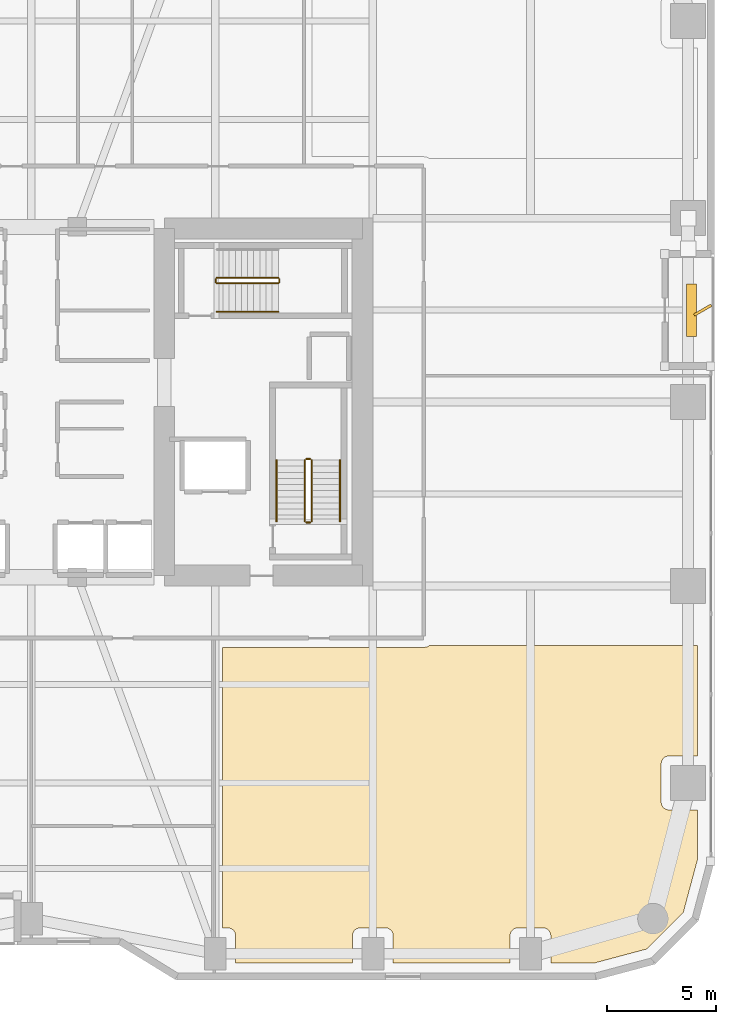
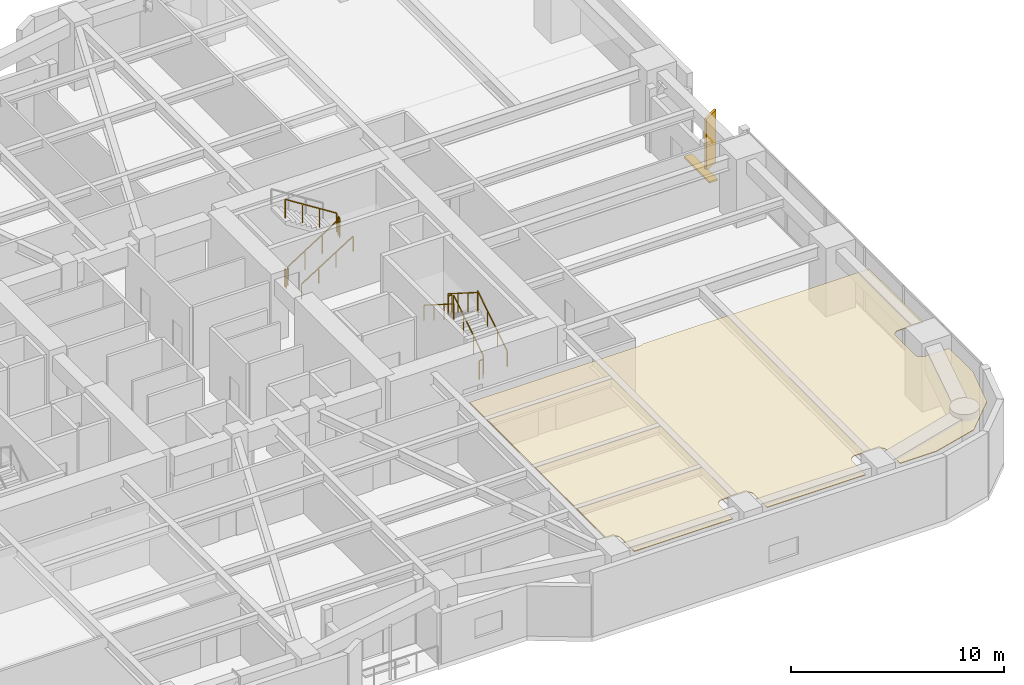
# One storey, part 27 of 28: 11 railings, 2 shading devices, 1 covering.
"""IFC4 building model written with IfcOpenShell, lengths in metres."""

from ifc_helpers import new_model, si_unit, direction, frame, origin, origin_2d, place, context, subcontext, project, spatial, polyline, rectangle, outline, extrude, material, layer, layer_set, type_object, element, save


model = new_model("IFC4")

# Units and contexts
model_context = context("Model", 3, precision=1e-05, world=origin(), true_north=direction((0.0, 1.0)))
body_context = subcontext(model_context, "Body", "Model", "MODEL_VIEW")
ifc_project = project(units=[si_unit("LENGTHUNIT", "METRE"), si_unit("AREAUNIT", "SQUARE_METRE"), si_unit("VOLUMEUNIT", "CUBIC_METRE"), si_unit("PLANEANGLEUNIT", "RADIAN"), si_unit("MASSUNIT", "GRAM", prefix="KILO")], contexts=[model_context])

# Site, building, storey
site_placement = place(None, origin())
site = spatial("IfcSite", under=ifc_project, at=site_placement, CompositionType="ELEMENT")
building_placement = place(site_placement, origin())
building = spatial("IfcBuilding", under=site, at=building_placement, Name="Kiyonajd Concourse Tower", CompositionType="ELEMENT")
storey_placement = place(building_placement, frame((0.0, 0.0, 33.300048828125)))
storey = spatial("IfcBuildingStorey", under=building, at=storey_placement, Name="L09", CompositionType="ELEMENT", Elevation=33.300048828125)

# Covering
ifc_material_1 = material(Name="Natural Oak Acoustic Timber Veneer", Category="wood")
ifc_layer = layer(ifc_material_1, 0.0400390625)
ifc_layer_set = layer_set([ifc_layer], Name="Natural Oak Acoustic Timber Veneer")
covering_type = type_object("IfcCoveringType", Name="CV-CLG-ACST", PredefinedType="CEILING", material=ifc_layer_set)
covering_placement = place(storey_placement, frame((0.0, 0.0, 3.4599609375)))
element("IfcCovering", 1, at=covering_placement, inside=storey, type_object=covering_type, Name="L09-46 Room Acoustic Ceiling", PredefinedType="CEILING", context=body_context, shape_type="SweptSolid", body=[
    extrude(outline(polyline([(56.72998046875, 11.97998046875), (56.72998046875, 24.7900390625), (65.925048828125, 24.7900390625), (66.054931640625, 24.81005859375), (66.117919921875, 24.8359375), (66.173095703125, 24.8701171875), (78.429931640625, 24.8701171875), (78.429931640625, 19.830078125), (77.1201171875, 19.830078125), (77.052001953125, 19.822998046875), (76.986083984375, 19.802978515625), (76.926025390625, 19.77099609375), (76.84912109375, 19.701904296875), (76.81103515625, 19.64501953125), (76.784912109375, 19.58203125), (76.77001953125, 19.47998046875), (76.77001953125, 17.719970703125), (76.784912109375, 17.617919921875), (76.81103515625, 17.554931640625), (76.84912109375, 17.498046875), (76.89794921875, 17.448974609375), (76.955078125, 17.410888671875), (77.01806640625, 17.385009765625), (77.0859375, 17.3720703125), (78.429931640625, 17.3701171875), (78.429931640625, 15.10107421875), (77.785888671875, 12.697998046875), (76.10205078125, 11.013916015625), (73.698974609375, 10.3701171875), (71.72998046875, 10.3701171875), (71.72802734375, 11.6640625), (71.715087890625, 11.73193359375), (71.68896484375, 11.794921875), (71.626953125, 11.876953125), (71.544921875, 11.93896484375), (71.48193359375, 11.965087890625), (71.4140625, 11.97802734375), (70.18603515625, 11.97802734375), (70.117919921875, 11.965087890625), (70.054931640625, 11.93896484375), (69.972900390625, 11.876953125), (69.910888671875, 11.794921875), (69.876953125, 11.697998046875), (69.8701171875, 11.6298828125), (69.8701171875, 10.3701171875), (64.530029296875, 10.3701171875), (64.528076171875, 11.6640625), (64.514892578125, 11.73193359375), (64.489013671875, 11.794921875), (64.427001953125, 11.876953125), (64.344970703125, 11.93896484375), (64.281982421875, 11.965087890625), (64.214111328125, 11.97802734375), (63.02001953125, 11.97998046875), (62.91796875, 11.965087890625), (62.85498046875, 11.93896484375), (62.798095703125, 11.90087890625), (62.7490234375, 11.85205078125), (62.7109375, 11.794921875), (62.677001953125, 11.697998046875), (62.669921875, 11.6298828125), (62.669921875, 10.3701171875), (57.330078125, 10.3701171875), (57.330078125, 11.6298828125), (57.322998046875, 11.697998046875), (57.302978515625, 11.763916015625), (57.27099609375, 11.823974609375), (57.22705078125, 11.876953125), (57.174072265625, 11.9208984375), (57.114013671875, 11.952880859375), (57.013916015625, 11.97802734375), (56.72998046875, 11.97998046875)])), origin(), (0.0, 0.0, 1.0), 0.0400390625),
])

# Railings
ifc_material_2 = material(Name="Steel ASTM A500 Grade C", Category="steel")
railing_type_1 = type_object("IfcRailingType", Name="RL-GRD-STR", PredefinedType="GUARDRAIL", material=ifc_material_2)
railing_1_placement = place(storey_placement, frame((60.800048828125, 30.550048828125, 0.17724609375)))
element("IfcRailing", 2, at=railing_1_placement, inside=storey, type_object=railing_type_1, Name="L09 ST2 stair guard 1", PredefinedType="GUARDRAIL", context=body_context, shape_type="SweptSolid", body=[
    extrude(rectangle(XDim=0.048095703125, YDim=0.048095703125, at=origin_2d()), frame((0.0, 0.0, 1.076171875), z_axis=(0.0, 0.844908973607, 0.534910110503), x_axis=(-1.0, 0.0, 0.0)), (0.0, 0.0, 1.0), 3.31396484375),
    extrude(rectangle(XDim=0.0419921875, YDim=0.0419921875, at=origin_2d()), origin(), (0.0, 0.0, 1.0), 1.052001953125),
    extrude(rectangle(XDim=0.0419921875, YDim=0.0419921875, at=origin_2d()), frame((0.0, 0.933349609375, 0.5908203125)), (0.0, 0.0, 1.0), 1.052001953125),
    extrude(rectangle(XDim=0.0419921875, YDim=0.0419921875, at=origin_2d()), frame((0.0, 1.86669921875, 1.181884765625)), (0.0, 0.0, 1.0), 1.052001953125),
    extrude(rectangle(XDim=0.0419921875, YDim=0.0419921875, at=origin_2d()), frame((0.0, 2.800048828125, 1.772705078125)), (0.0, 0.0, 1.0), 1.052001953125),
])
railing_2_placement = place(storey_placement, frame((60.75, 33.39990234375, 1.949951171875)))
element("IfcRailing", 3, at=railing_2_placement, inside=storey, type_object=railing_type_1, Name="L09 ST2 stair guard 2", PredefinedType="GUARDRAIL", context=body_context, shape_type="SweptSolid", body=[
    extrude(rectangle(XDim=0.048095703125, YDim=0.048095703125, at=origin_2d()), frame((0.0, 0.0, 1.076171875), z_axis=(-1.0, 0.0, 0.0), x_axis=(0.0, -1.0, 0.0)), (0.0, 0.0, 1.0), 0.199951171875),
    extrude(rectangle(XDim=0.0419921875, YDim=0.0419921875, at=origin_2d()), origin(), (0.0, 0.0, 1.0), 1.052001953125),
    extrude(rectangle(XDim=0.0419921875, YDim=0.0419921875, at=origin_2d()), frame((-0.199951171875, 0.0, 0.0)), (0.0, 0.0, 1.0), 1.052001953125),
])
railing_3_placement = place(storey_placement, frame((60.5, 33.35009765625, 2.127197265625)))
element("IfcRailing", 4, at=railing_3_placement, inside=storey, type_object=railing_type_1, Name="L09 ST2 stair guard 3", PredefinedType="GUARDRAIL", context=body_context, shape_type="SweptSolid", body=[
    extrude(rectangle(XDim=0.048095703125, YDim=0.048095703125, at=origin_2d()), frame((0.0, 0.0, 1.076171875), z_axis=(0.0, -0.844908973607, 0.534910110503), x_axis=(1.0, 0.0, 0.0)), (0.0, 0.0, 1.0), 3.31396484375),
    extrude(rectangle(XDim=0.0419921875, YDim=0.0419921875, at=origin_2d()), origin(), (0.0, 0.0, 1.0), 1.052001953125),
    extrude(rectangle(XDim=0.0419921875, YDim=0.0419921875, at=origin_2d()), frame((0.0, -0.933349609375, 0.5908203125)), (0.0, 0.0, 1.0), 1.052001953125),
    extrude(rectangle(XDim=0.0419921875, YDim=0.0419921875, at=origin_2d()), frame((0.0, -1.86669921875, 1.181884765625)), (0.0, 0.0, 1.0), 1.052001953125),
    extrude(rectangle(XDim=0.0419921875, YDim=0.0419921875, at=origin_2d()), frame((0.0, -2.800048828125, 1.772705078125)), (0.0, 0.0, 1.0), 1.052001953125),
])
railing_4_placement = place(storey_placement, frame((60.75, 30.5, 0.0)))
element("IfcRailing", 5, at=railing_4_placement, inside=storey, type_object=railing_type_1, Name="L09 ST2 stair guard 4", PredefinedType="GUARDRAIL", context=body_context, shape_type="SweptSolid", body=[
    extrude(rectangle(XDim=0.048095703125, YDim=0.048095703125, at=origin_2d()), frame((0.0, 0.0, 1.076171875), z_axis=(-1.0, 0.0, 0.0), x_axis=(0.0, -1.0, 0.0)), (0.0, 0.0, 1.0), 0.199951171875),
    extrude(rectangle(XDim=0.0419921875, YDim=0.0419921875, at=origin_2d()), origin(), (0.0, 0.0, 1.0), 1.052001953125),
    extrude(rectangle(XDim=0.0419921875, YDim=0.0419921875, at=origin_2d()), frame((-0.199951171875, 0.0, 0.0)), (0.0, 0.0, 1.0), 1.052001953125),
])
railing_5_placement = place(storey_placement, frame((56.47998046875, 41.429931640625, 0.17724609375)))
element("IfcRailing", 6, at=railing_5_placement, inside=storey, type_object=railing_type_1, Name="L09 ST3 stair guard 1", PredefinedType="GUARDRAIL", context=body_context, shape_type="SweptSolid", body=[
    extrude(rectangle(XDim=0.048095703125, YDim=0.048095703125, at=origin_2d()), frame((0.0, 0.0, 1.076171875), z_axis=(0.844908973607, 0.0, 0.534910110503), x_axis=(0.0, 1.0, 0.0)), (0.0, 0.0, 1.0), 3.31396484375),
    extrude(rectangle(XDim=0.0419921875, YDim=0.0419921875, at=origin_2d()), origin(), (0.0, 0.0, 1.0), 1.052001953125),
    extrude(rectangle(XDim=0.0419921875, YDim=0.0419921875, at=origin_2d()), frame((0.933349609375, 0.0, 0.5908203125)), (0.0, 0.0, 1.0), 1.052001953125),
    extrude(rectangle(XDim=0.0419921875, YDim=0.0419921875, at=origin_2d()), frame((1.86669921875, 0.0, 1.181884765625)), (0.0, 0.0, 1.0), 1.052001953125),
    extrude(rectangle(XDim=0.0419921875, YDim=0.0419921875, at=origin_2d()), frame((2.800048828125, 0.0, 1.772705078125)), (0.0, 0.0, 1.0), 1.052001953125),
])
railing_6_placement = place(storey_placement, frame((59.330078125, 41.47998046875, 1.949951171875)))
element("IfcRailing", 7, at=railing_6_placement, inside=storey, type_object=railing_type_1, Name="L09 ST3 stair guard 2", PredefinedType="GUARDRAIL", context=body_context, shape_type="SweptSolid", body=[
    extrude(rectangle(XDim=0.048095703125, YDim=0.048095703125, at=origin_2d()), frame((0.0, 0.0, 1.076171875), z_axis=(0.0, 1.0, 0.0), x_axis=(-1.0, 0.0, 0.0)), (0.0, 0.0, 1.0), 0.14013671875),
    extrude(rectangle(XDim=0.0419921875, YDim=0.0419921875, at=origin_2d()), origin(), (0.0, 0.0, 1.0), 1.052001953125),
    extrude(rectangle(XDim=0.0419921875, YDim=0.0419921875, at=origin_2d()), frame((0.0, 0.14013671875, 0.0)), (0.0, 0.0, 1.0), 1.052001953125),
])
railing_7_placement = place(storey_placement, frame((59.280029296875, 41.669921875, 2.127197265625)))
element("IfcRailing", 8, at=railing_7_placement, inside=storey, type_object=railing_type_1, Name="L09 ST3 stair guard 3", PredefinedType="GUARDRAIL", context=body_context, shape_type="SweptSolid", body=[
    extrude(rectangle(XDim=0.048095703125, YDim=0.048095703125, at=origin_2d()), frame((0.0, 0.0, 1.076171875), z_axis=(-0.844908973607, 0.0, 0.534910110503), x_axis=(0.0, -1.0, 0.0)), (0.0, 0.0, 1.0), 3.31396484375),
    extrude(rectangle(XDim=0.0419921875, YDim=0.0419921875, at=origin_2d()), origin(), (0.0, 0.0, 1.0), 1.052001953125),
    extrude(rectangle(XDim=0.0419921875, YDim=0.0419921875, at=origin_2d()), frame((-0.933349609375, 0.0, 0.5908203125)), (0.0, 0.0, 1.0), 1.052001953125),
    extrude(rectangle(XDim=0.0419921875, YDim=0.0419921875, at=origin_2d()), frame((-1.86669921875, 0.0, 1.181884765625)), (0.0, 0.0, 1.0), 1.052001953125),
    extrude(rectangle(XDim=0.0419921875, YDim=0.0419921875, at=origin_2d()), frame((-2.800048828125, 0.0, 1.772705078125)), (0.0, 0.0, 1.0), 1.052001953125),
])
railing_8_placement = place(storey_placement, frame((56.429931640625, 41.47998046875, 0.0)))
element("IfcRailing", 9, at=railing_8_placement, inside=storey, type_object=railing_type_1, Name="L09 ST3 stair guard 4", PredefinedType="GUARDRAIL", context=body_context, shape_type="SweptSolid", body=[
    extrude(rectangle(XDim=0.048095703125, YDim=0.048095703125, at=origin_2d()), frame((0.0, 0.0, 1.076171875), z_axis=(0.0, 1.0, 0.0), x_axis=(-1.0, 0.0, 0.0)), (0.0, 0.0, 1.0), 0.14013671875),
    extrude(rectangle(XDim=0.0419921875, YDim=0.0419921875, at=origin_2d()), origin(), (0.0, 0.0, 1.0), 1.052001953125),
    extrude(rectangle(XDim=0.0419921875, YDim=0.0419921875, at=origin_2d()), frame((0.0, 0.14013671875, 0.0)), (0.0, 0.0, 1.0), 1.052001953125),
])
ifc_material_3 = material(Name="Brushed Stainless Steel Cab Assembly", Category="steel")
railing_type_2 = type_object("IfcRailingType", Name="RL-HND-900", PredefinedType="HANDRAIL", material=ifc_material_3)
railing_9_placement = place(storey_placement, frame((62.10009765625, 30.550048828125, 0.17724609375)))
element("IfcRailing", 10, at=railing_9_placement, inside=storey, type_object=railing_type_2, Name="L09 ST2 stair handrail 1", PredefinedType="HANDRAIL", context=body_context, shape_type="SweptSolid", body=[
    extrude(rectangle(XDim=0.048095703125, YDim=0.048095703125, at=origin_2d()), frame((0.0, 0.0, 0.8759765625), z_axis=(0.0, 0.844908973607, 0.534910110503), x_axis=(-1.0, 0.0, 0.0)), (0.0, 0.0, 1.0), 3.31396484375),
    extrude(rectangle(XDim=0.0419921875, YDim=0.0419921875, at=origin_2d()), origin(), (0.0, 0.0, 1.0), 0.851806640625),
    extrude(rectangle(XDim=0.0419921875, YDim=0.0419921875, at=origin_2d()), frame((0.0, 0.933349609375, 0.5908203125)), (0.0, 0.0, 1.0), 0.851806640625),
    extrude(rectangle(XDim=0.0419921875, YDim=0.0419921875, at=origin_2d()), frame((0.0, 1.86669921875, 1.181884765625)), (0.0, 0.0, 1.0), 0.851806640625),
    extrude(rectangle(XDim=0.0419921875, YDim=0.0419921875, at=origin_2d()), frame((0.0, 2.800048828125, 1.772705078125)), (0.0, 0.0, 1.0), 0.851806640625),
])
railing_10_placement = place(storey_placement, frame((59.199951171875, 33.35009765625, 2.127197265625)))
element("IfcRailing", 11, at=railing_10_placement, inside=storey, type_object=railing_type_2, Name="L09 ST2 stair handrail 2", PredefinedType="HANDRAIL", context=body_context, shape_type="SweptSolid", body=[
    extrude(rectangle(XDim=0.048095703125, YDim=0.048095703125, at=origin_2d()), frame((0.0, 0.0, 0.8759765625), z_axis=(0.0, -0.844908973607, 0.534910110503), x_axis=(1.0, 0.0, 0.0)), (0.0, 0.0, 1.0), 3.31396484375),
    extrude(rectangle(XDim=0.0419921875, YDim=0.0419921875, at=origin_2d()), origin(), (0.0, 0.0, 1.0), 0.851806640625),
    extrude(rectangle(XDim=0.0419921875, YDim=0.0419921875, at=origin_2d()), frame((0.0, -0.933349609375, 0.5908203125)), (0.0, 0.0, 1.0), 0.851806640625),
    extrude(rectangle(XDim=0.0419921875, YDim=0.0419921875, at=origin_2d()), frame((0.0, -1.86669921875, 1.181884765625)), (0.0, 0.0, 1.0), 0.851806640625),
    extrude(rectangle(XDim=0.0419921875, YDim=0.0419921875, at=origin_2d()), frame((0.0, -2.800048828125, 1.772705078125)), (0.0, 0.0, 1.0), 0.851806640625),
])
railing_11_placement = place(storey_placement, frame((56.47998046875, 40.1298828125, 0.17724609375)))
element("IfcRailing", 12, at=railing_11_placement, inside=storey, type_object=railing_type_2, Name="L09 ST3 stair handrail 1", PredefinedType="HANDRAIL", context=body_context, shape_type="SweptSolid", body=[
    extrude(rectangle(XDim=0.048095703125, YDim=0.048095703125, at=origin_2d()), frame((0.0, 0.0, 0.8759765625), z_axis=(0.844908973607, 0.0, 0.534910110503), x_axis=(0.0, 1.0, 0.0)), (0.0, 0.0, 1.0), 3.31396484375),
    extrude(rectangle(XDim=0.0419921875, YDim=0.0419921875, at=origin_2d()), origin(), (0.0, 0.0, 1.0), 0.851806640625),
    extrude(rectangle(XDim=0.0419921875, YDim=0.0419921875, at=origin_2d()), frame((0.933349609375, 0.0, 0.5908203125)), (0.0, 0.0, 1.0), 0.851806640625),
    extrude(rectangle(XDim=0.0419921875, YDim=0.0419921875, at=origin_2d()), frame((1.86669921875, 0.0, 1.181884765625)), (0.0, 0.0, 1.0), 0.851806640625),
    extrude(rectangle(XDim=0.0419921875, YDim=0.0419921875, at=origin_2d()), frame((2.800048828125, 0.0, 1.772705078125)), (0.0, 0.0, 1.0), 0.851806640625),
])

# Shading devices
ifc_material_4 = material(Name="Precast concrete C50/60", Category="concrete")
shading_device_type_1 = type_object("IfcShadingDeviceType", Name="SH-FIN-900", PredefinedType="USERDEFINED", material=ifc_material_4)
shading_device_1_placement = place(storey_placement, frame((78.669921875, 40.199951171875, 0.0), z_axis=(0.0, 0.0, 1.0), x_axis=(0.866025403784, 0.5, 0.0)))
element("IfcShadingDevice", 13, at=shading_device_1_placement, inside=storey, type_object=shading_device_type_1, Name="L09 Angled Koshi Solar Fin LOG-E", ObjectType="FIN", PredefinedType="USERDEFINED", context=body_context, shape_type="SweptSolid", body=[
    extrude(rectangle(XDim=0.89990234375, YDim=0.1201171875, at=origin_2d()), origin(), (0.0, 0.0, 1.0), 3.0),
])
ifc_material_5 = material(Name="Thermally Broken Anodised Aluminium", Category="aluminium")
shading_device_type_2 = type_object("IfcShadingDeviceType", Name="SH-LVR-600", PredefinedType="JALOUSIE", material=ifc_material_5)
shading_device_2_placement = place(storey_placement, frame((78.14990234375, 40.199951171875, 0.0), z_axis=(0.0, 0.0, 1.0), x_axis=(0.0, 1.0, 0.0)))
element("IfcShadingDevice", 14, at=shading_device_2_placement, inside=storey, type_object=shading_device_type_2, Name="L09 Loggia Threshold Louver LOG-E", PredefinedType="JALOUSIE", context=body_context, shape_type="SweptSolid", body=[
    extrude(rectangle(XDim=2.39990234375, YDim=0.449951171875, at=origin_2d()), origin(), (0.0, 0.0, 1.0), 0.10009765625),
])

save(model, "model.ifc")
